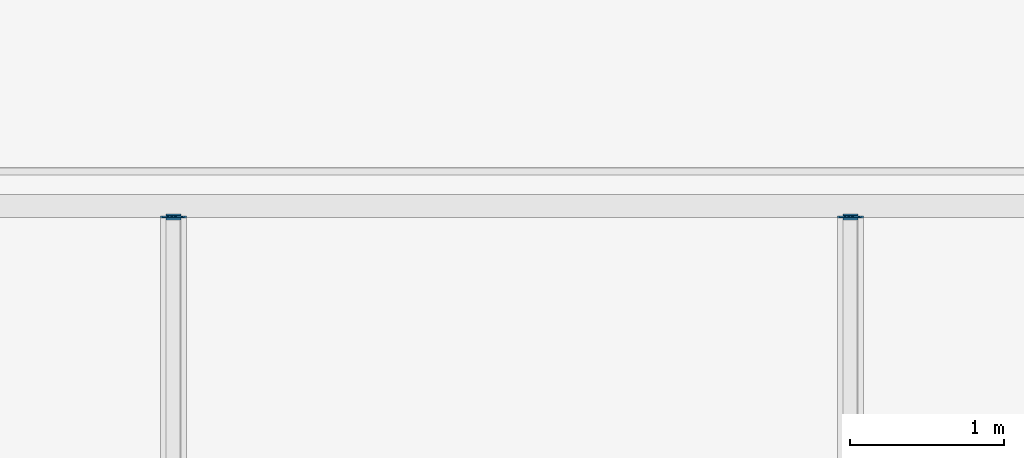
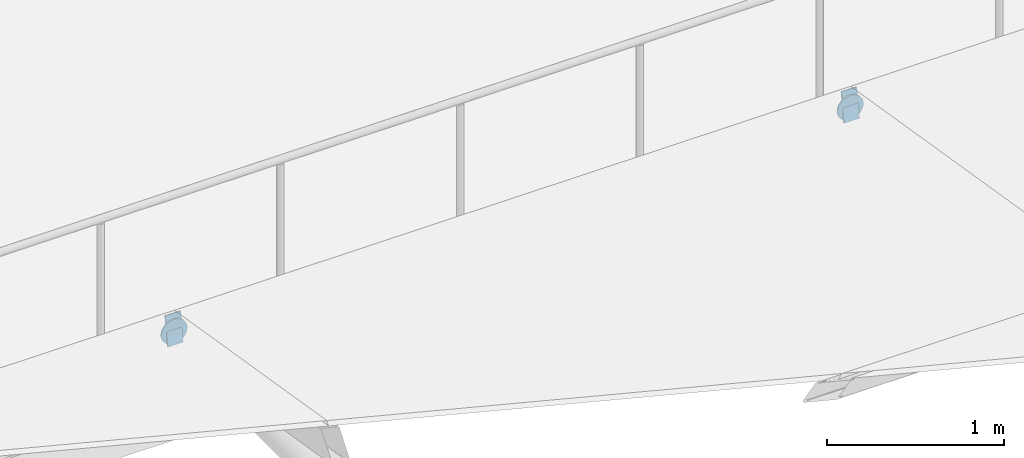
# One storey, part 55 of 69: 4 discrete accessories.
"""IFC4 building model written with IfcOpenShell, lengths in metres."""

from ifc_helpers import new_model, si_unit, direction, frame, origin, origin_2d, place, context, subcontext, project, spatial, rectangle, circle, extrude, material, material_profile, profile_set, type_object, element, save


model = new_model("IFC4")

# Units and contexts
model_context = context("Model", 3, precision=1e-05, world=origin(), true_north=direction((0.0, 1.0)))
body_context = subcontext(model_context, "Body", "Model", "MODEL_VIEW")
ifc_project = project(units=[si_unit("LENGTHUNIT", "METRE"), si_unit("AREAUNIT", "SQUARE_METRE"), si_unit("VOLUMEUNIT", "CUBIC_METRE"), si_unit("PLANEANGLEUNIT", "RADIAN"), si_unit("MASSUNIT", "GRAM", prefix="KILO")], contexts=[model_context])

# Site, building, storey
site_placement = place(None, origin())
site = spatial("IfcSite", under=ifc_project, at=site_placement, CompositionType="ELEMENT")
building_placement = place(site_placement, origin())
building = spatial("IfcBuilding", under=site, at=building_placement, Name="Kallimachos Central Library", CompositionType="ELEMENT")
storey_placement = place(building_placement, frame((0.0, 0.0, 23.39990234375)))
storey = spatial("IfcBuildingStorey", under=building, at=storey_placement, Name="L05", CompositionType="ELEMENT", Elevation=23.39990234375)

# Discrete accessories
ifc_material_1 = material(Name="Steel S355J2", Category="steel")
ifc_material_profile_1 = material_profile(ifc_material_1, rectangle(XDim=0.10009765625, YDim=0.199951171875, at=origin_2d()), Name="End cap plate 10, 100x200")
ifc_profile_set_1 = profile_set([ifc_material_profile_1], Name="Steel S355J2")
discrete_accessory_type_1 = type_object("IfcDiscreteAccessoryType", Name="End cap plate 10, 100x200", PredefinedType="BRACKET", material=ifc_profile_set_1)
for number, where, z_axis, x_axis, name in (
    (1, (92.39990234375, 75.159912109375, 0.389892578125), (0.0, -0.989461064134, 0.144799180117), (1.0, 0.0, 0.0), "End cap plate"),
    (2, (96.800048828125, 75.159912109375, 0.389892578125), (0.0, -0.989461064134, 0.144799180117), (1.0, 0.0, 0.0), "End cap plate"),
):
    element("IfcDiscreteAccessory", number, at=place(storey_placement, frame(where, z_axis=z_axis, x_axis=x_axis)), inside=storey, type_object=discrete_accessory_type_1, Name=name, PredefinedType="BRACKET", context=body_context, shape_type="SweptSolid", body=[
        extrude(rectangle(XDim=0.10009765625, YDim=0.199951171875, at=origin_2d()), origin(), (0.0, 0.0, 1.0), 0.010009765625),
    ])
ifc_material_2 = material(Name="Steel S355J2", Category="steel")
ifc_material_profile_2 = material_profile(ifc_material_2, circle(Radius=0.084228515625, at=origin_2d()), Name="End cap plate 10, round 168.3")
ifc_profile_set_2 = profile_set([ifc_material_profile_2], Name="Steel S355J2")
discrete_accessory_type_2 = type_object("IfcDiscreteAccessoryType", Name="End cap plate 10, round 168.3", PredefinedType="BRACKET", material=ifc_profile_set_2)
for number, where, z_axis, x_axis, name in (
    (3, (92.39990234375, 75.14990234375, 0.374267578125), (0.0, 1.0, 0.0), (-1.0, 0.0, 0.0), "End cap plate"),
    (4, (96.800048828125, 75.14990234375, 0.374267578125), (0.0, 1.0, 0.0), (-1.0, 0.0, 0.0), "End cap plate"),
):
    element("IfcDiscreteAccessory", number, at=place(storey_placement, frame(where, z_axis=z_axis, x_axis=x_axis)), inside=storey, type_object=discrete_accessory_type_2, Name=name, PredefinedType="BRACKET", context=body_context, shape_type="SweptSolid", body=[
        extrude(circle(Radius=0.084228515625, at=origin_2d()), origin(), (0.0, 0.0, 1.0), 0.010009765625),
    ])

save(model, "model.ifc")
